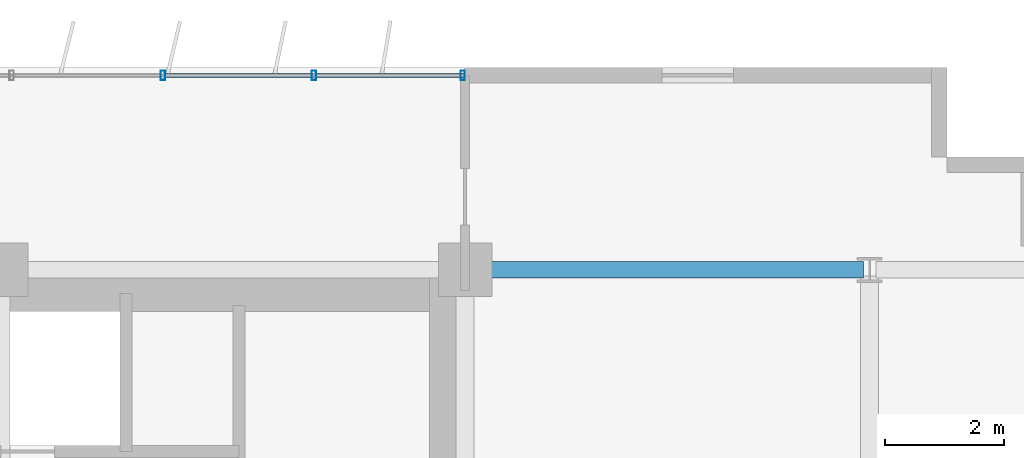
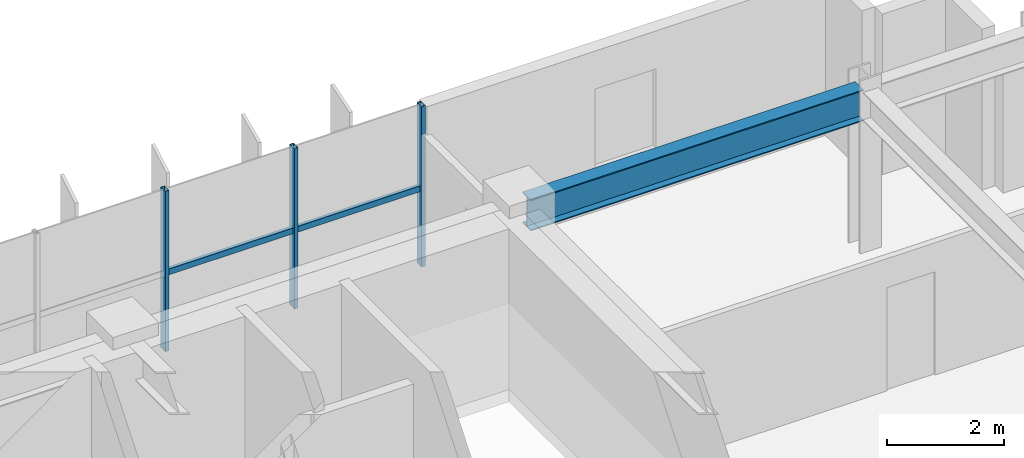
# One storey, part 12 of 23: 5 members, 1 beam, 1 element without a shape of its own.
"""IFC4 building model written with IfcOpenShell, lengths in metres."""

from ifc_helpers import new_model, si_unit, direction, frame, origin, origin_2d, place, context, subcontext, project, spatial, hollow_rectangle, i_section, extrude, source, transform, mapped, material, material_profile, profile_set, type_object, element, aggregate, save


model = new_model("IFC4")

# Units and contexts
model_context = context("Model", 3, precision=1e-05, world=origin(), true_north=direction((0.0, 1.0)))
body_context = subcontext(model_context, "Body", "Model", "MODEL_VIEW")
ifc_project = project(units=[si_unit("LENGTHUNIT", "METRE"), si_unit("AREAUNIT", "SQUARE_METRE"), si_unit("VOLUMEUNIT", "CUBIC_METRE"), si_unit("PLANEANGLEUNIT", "RADIAN"), si_unit("MASSUNIT", "GRAM", prefix="KILO")], contexts=[model_context])

# Site, building, storey
site_placement = place(None, origin())
site = spatial("IfcSite", under=ifc_project, at=site_placement, CompositionType="ELEMENT")
building_placement = place(site_placement, origin())
building = spatial("IfcBuilding", under=site, at=building_placement, Name="Trelvane Seafront Commons", CompositionType="ELEMENT")
storey_placement = place(building_placement, frame((0.0, 0.0, 63.10009765625)))
storey = spatial("IfcBuildingStorey", under=building, at=storey_placement, Name="L16", CompositionType="ELEMENT", Elevation=63.10009765625)

# Beam
ifc_material_1 = material(Name="Steel SM355 (S355)", Category="steel")
ifc_material_profile_1 = material_profile(ifc_material_1, i_section(OverallWidth=0.280029296875, OverallDepth=0.64990234375, WebThickness=0.012939453125, FlangeThickness=0.02197265625, at=origin_2d()), Name="H-650x280x13x22")
ifc_profile_set_1 = profile_set([ifc_material_profile_1], Name="Steel SM355 (S355)")
beam_type = type_object("IfcBeamType", Name="STR-BM-H650", PredefinedType="BEAM", material=ifc_profile_set_1)
shared_shape_1 = source(origin(), body_context, "Body", "SweptSolid", [
    extrude(i_section(OverallWidth=0.280029296875, OverallDepth=0.64990234375, WebThickness=0.012939453125, FlangeThickness=0.02197265625, at=origin_2d()), origin(), (0.0, 0.0, 1.0), 6.545166015625),
])
beam_placement = place(storey_placement, frame((58.949951171875, 45.10009765625, 3.014892578125), z_axis=(1.0, 0.0, 0.0), x_axis=(0.0, 1.0, 0.0)))
element("IfcBeam", 1, at=beam_placement, inside=storey, type_object=beam_type, Name="L16 Primary Girder G-35", PredefinedType="BEAM", context=body_context, shape_type="MappedRepresentation", body=[
    mapped(shared_shape_1, transform((0.0, 0.0, 0.0), x_axis=(1.0, 0.0, 0.0), y_axis=(0.0, 1.0, 0.0), z_axis=(0.0, 0.0, 1.0), scale=1.0)),
])

# Curtain wall, members
ifc_material_2 = material(Name="Anodised pale-silver aluminium", Category="aluminium")
curtain_wall_type = type_object("IfcCurtainWallType", Name="ARCH-CW2-LOWTOWER", PredefinedType="NOTDEFINED", material=ifc_material_2)
curtain_wall_placement = place(storey_placement, origin())
curtain_wall = element("IfcCurtainWall", 2, at=curtain_wall_placement, inside=storey, type_object=curtain_wall_type, Name="CW-L16-0040", PredefinedType="NOTDEFINED")
ifc_material_profile_2 = material_profile(ifc_material_2, hollow_rectangle(XDim=0.070068359375, YDim=0.1201171875, WallThickness=0.00390625, at=origin_2d()), Name="TRAN-70x120x4")
ifc_profile_set_2 = profile_set([ifc_material_profile_2], Name="Anodised pale-silver aluminium")
member_type_1 = type_object("IfcMemberType", Name="ARCH-CW-TRAN-120", PredefinedType="USERDEFINED", material=ifc_profile_set_2)
shared_shape_2 = source(origin(), body_context, "Body", "SweptSolid", [
    extrude(hollow_rectangle(XDim=0.070068359375, YDim=0.1201171875, WallThickness=0.00390625, at=origin_2d()), origin(), (0.0, 0.0, 1.0), 2.517333984375),
])
member_1_placement = place(storey_placement, frame((53.7294921875, 48.3701171875, 1.602783203125), z_axis=(1.0, 0.0, 0.0), x_axis=(0.0, 1.0, 0.0)))
member_1 = element("IfcMember", 3, at=member_1_placement, type_object=member_type_1, Name="CW-L16-0040-T15", ObjectType="TRANSOM", PredefinedType="USERDEFINED", context=body_context, shape_type="MappedRepresentation", body=[
    mapped(shared_shape_2, transform((0.0, 0.0, 0.0), x_axis=(1.0, 0.0, 0.0), y_axis=(0.0, 1.0, 0.0), z_axis=(0.0, 0.0, 1.0), scale=1.0)),
])
member_2_placement = place(storey_placement, frame((56.270751953125, 48.3701171875, 1.602783203125), z_axis=(1.0, 0.0, 0.0), x_axis=(0.0, 1.0, 0.0)))
member_2 = element("IfcMember", 4, at=member_2_placement, type_object=member_type_1, Name="CW-L16-0040-T16", ObjectType="TRANSOM", PredefinedType="USERDEFINED", context=body_context, shape_type="MappedRepresentation", body=[
    mapped(shared_shape_2, transform((0.0, 0.0, 0.0), x_axis=(1.0, 0.0, 0.0), y_axis=(0.0, 1.0, 0.0), z_axis=(0.0, 0.0, 1.0), scale=1.0)),
])
ifc_material_profile_3 = material_profile(ifc_material_2, hollow_rectangle(XDim=0.074951171875, YDim=0.159912109375, WallThickness=0.00390625, at=origin_2d()), Name="MULL-75x160x4")
ifc_profile_set_3 = profile_set([ifc_material_profile_3], Name="Anodised pale-silver aluminium")
member_type_2 = type_object("IfcMemberType", Name="ARCH-CW-MULL-160", PredefinedType="MULLION", material=ifc_profile_set_3)
shared_shape_3 = source(origin(), body_context, "Body", "SweptSolid", [
    extrude(hollow_rectangle(XDim=0.074951171875, YDim=0.159912109375, WallThickness=0.00390625, at=origin_2d()), origin(), (0.0, 0.0, 1.0), 3.33984375),
])
member_3_placement = place(storey_placement, frame((53.717529296875, 48.3701171875, 0.0), z_axis=(0.0, 0.0, 1.0), x_axis=(1.0, 0.0, 0.0)))
member_3 = element("IfcMember", 5, at=member_3_placement, type_object=member_type_2, Name="CW-L16-0040-M15", PredefinedType="MULLION", context=body_context, shape_type="MappedRepresentation", body=[
    mapped(shared_shape_3, transform((0.0, 0.0, 0.0), x_axis=(1.0, 0.0, 0.0), y_axis=(0.0, 1.0, 0.0), z_axis=(0.0, 0.0, 1.0), scale=1.0)),
])
member_4_placement = place(storey_placement, frame((56.2587890625, 48.3701171875, 0.0), z_axis=(0.0, 0.0, 1.0), x_axis=(1.0, 0.0, 0.0)))
member_4 = element("IfcMember", 6, at=member_4_placement, type_object=member_type_2, Name="CW-L16-0040-M16", PredefinedType="MULLION", context=body_context, shape_type="MappedRepresentation", body=[
    mapped(shared_shape_3, transform((0.0, 0.0, 0.0), x_axis=(1.0, 0.0, 0.0), y_axis=(0.0, 1.0, 0.0), z_axis=(0.0, 0.0, 1.0), scale=1.0)),
])
member_5_placement = place(storey_placement, frame((58.760009765625, 48.3701171875, 0.0), z_axis=(0.0, 0.0, 1.0), x_axis=(1.0, 0.0, 0.0)))
member_5 = element("IfcMember", 7, at=member_5_placement, type_object=member_type_2, Name="CW-L16-0040-M17", PredefinedType="MULLION", context=body_context, shape_type="MappedRepresentation", body=[
    mapped(shared_shape_3, transform((0.0, 0.0, 0.0), x_axis=(1.0, 0.0, 0.0), y_axis=(0.0, 1.0, 0.0), z_axis=(0.0, 0.0, 1.0), scale=1.0)),
])
aggregate(curtain_wall, [member_3, member_4, member_5, member_1, member_2])

save(model, "model.ifc")
